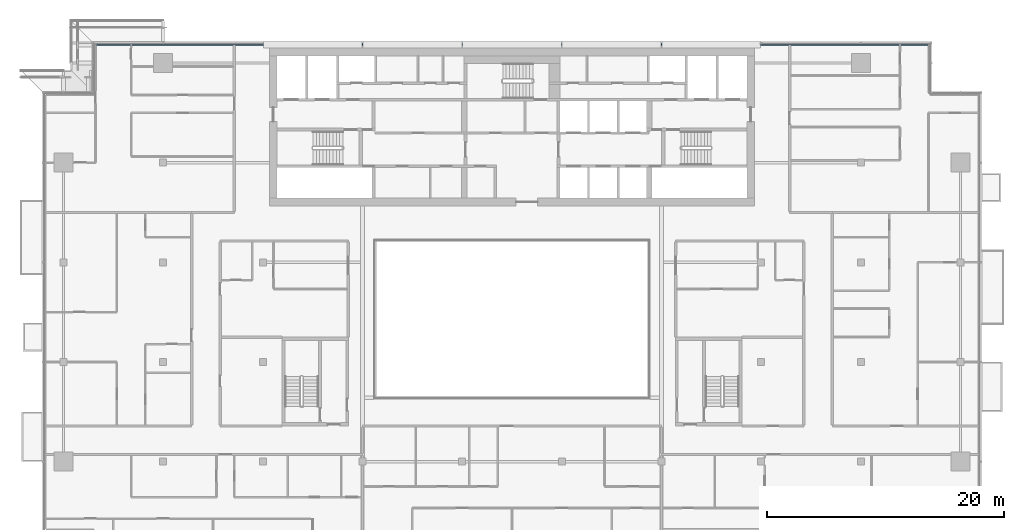
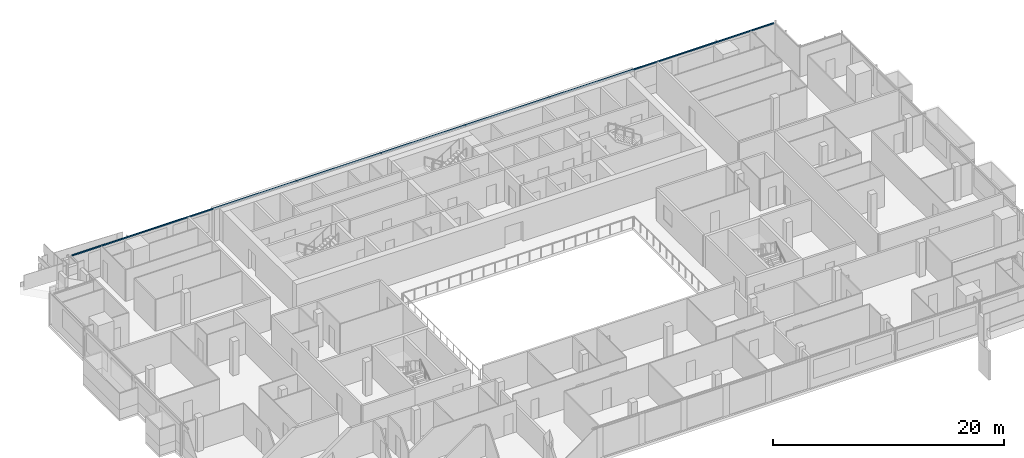
# One storey, part 9 of 30: 1 member, 1 element without a shape of its own.
"""IFC4 building model written with IfcOpenShell, lengths in metres."""

from ifc_helpers import new_model, si_unit, direction, frame, origin, origin_2d, place, context, subcontext, project, spatial, rectangle, extrude, material, material_profile, profile_set, type_object, element, aggregate, save


model = new_model("IFC4")

# Units and contexts
model_context = context("Model", 3, precision=1e-05, world=origin(), true_north=direction((0.0, 1.0)))
body_context = subcontext(model_context, "Body", "Model", "MODEL_VIEW")
ifc_project = project(units=[si_unit("LENGTHUNIT", "METRE"), si_unit("AREAUNIT", "SQUARE_METRE"), si_unit("VOLUMEUNIT", "CUBIC_METRE"), si_unit("PLANEANGLEUNIT", "RADIAN"), si_unit("MASSUNIT", "GRAM", prefix="KILO")], contexts=[model_context])

# Site, building, storey
site_placement = place(None, origin())
site = spatial("IfcSite", under=ifc_project, at=site_placement, CompositionType="ELEMENT")
building_placement = place(site_placement, origin())
building = spatial("IfcBuilding", under=site, at=building_placement, Name="Saffron Gate Tower", CompositionType="ELEMENT")
storey_placement = place(building_placement, frame((0.0, 0.0, 216.300048828125)))
storey = spatial("IfcBuildingStorey", under=building, at=storey_placement, Name="L52", CompositionType="ELEMENT", Elevation=216.300048828125)

# Curtain wall, member
ifc_material = material(Name="Aluminium, bronze anodised", Category="aluminium")
curtain_wall_type = type_object("IfcCurtainWallType", Name="CWS3 curtain wall rear facade", PredefinedType="NOTDEFINED", material=ifc_material)
curtain_wall_placement = place(storey_placement, origin())
curtain_wall = element("IfcCurtainWall", 1, at=curtain_wall_placement, inside=storey, type_object=curtain_wall_type, Name="CWS3 run 7", PredefinedType="NOTDEFINED")
ifc_material_profile = material_profile(ifc_material, rectangle(XDim=0.1201171875, YDim=0.1201171875, at=origin_2d()))
ifc_profile_set = profile_set([ifc_material_profile], Name="Aluminium, bronze anodised")
member_type = type_object("IfcMemberType", Name="CWS3 head transom", PredefinedType="USERDEFINED", material=ifc_profile_set)
member_placement = place(storey_placement, frame((122.632080078125, 75.35205078125, 3.260009765625), z_axis=(-1.0, 0.0, 0.0), x_axis=(0.0, -1.0, 0.0)))
member = element("IfcMember", 2, at=member_placement, type_object=member_type, Name="CWS3 head transom", ObjectType="TRANSOM", PredefinedType="USERDEFINED", context=body_context, shape_type="SweptSolid", body=[
    extrude(rectangle(XDim=0.1201171875, YDim=0.1201171875, at=origin_2d()), origin(), (0.0, 0.0, 1.0), 70.06396484375),
])
aggregate(curtain_wall, [member])

save(model, "model.ifc")
